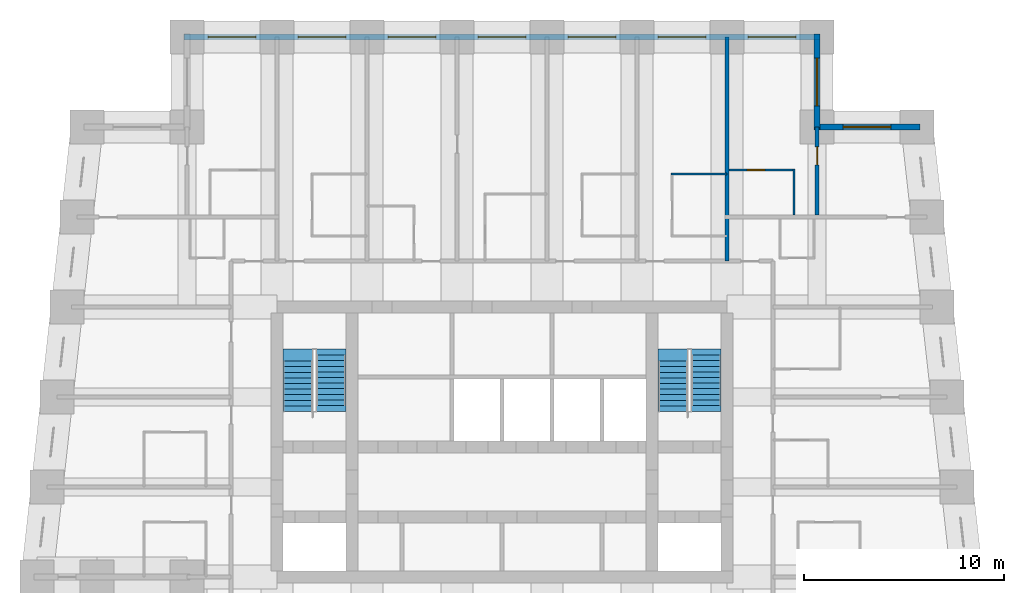
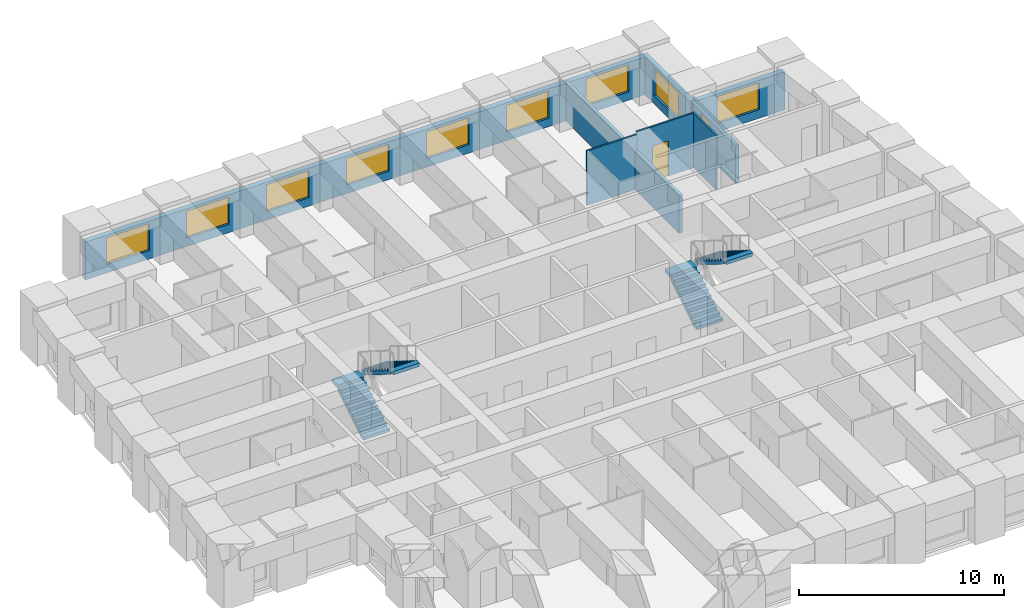
# One storey, part 7 of 8: 9 windows, 8 walls, 4 stair flights, 2 doors, 11 openings, 2 elements without a shape of their own.
"""IFC4 building model written with IfcOpenShell, lengths in metres."""

import ifcopenshell
import ifcopenshell.guid

model = None  # the IFC model being written
_history = None  # IfcOwnerHistory: only IFC2X3 demands one
_inside = {}  # id of a spatial element -> (the spatial element, [elements in it])
_under = {}  # id of a project, library or spatial element -> (it, [spatial elements below it])
_declared = {}  # id of a project -> (the project, [libraries it declares])
_typed = {}  # id of a type object -> (the type object, [elements of that type])
_made_of = {}  # id of a material, layer set ... -> (it, [elements and type objects made of it])


def new_model(schema):
    """Start an empty IFC model of exactly this schema.

    Asked for "IFC4X3", IfcOpenShell would pick the latest addendum, in which some entities
    have other attributes; the version numbers below select the first issue.
    IFC2X3 requires an IfcOwnerHistory on every rooted entity: one is made here for all.
    """
    global model, _history
    if schema == "IFC4X3":
        model = ifcopenshell.file(schema_version=(4, 3, 0, 0))
    else:
        model = ifcopenshell.file(schema=schema)
    _inside.clear()
    _under.clear()
    _declared.clear()
    _typed.clear()
    _made_of.clear()
    _history = None
    if model.schema == "IFC2X3":
        org = make("IfcOrganization", Name="unknown")
        user = make(
            "IfcPersonAndOrganization",
            ThePerson=make("IfcPerson", FamilyName="unknown"),
            TheOrganization=org,
        )
        app = make(
            "IfcApplication",
            ApplicationDeveloper=org,
            Version="unknown",
            ApplicationFullName="unknown",
            ApplicationIdentifier="unknown",
        )
        _history = make(
            "IfcOwnerHistory",
            OwningUser=user,
            OwningApplication=app,
            ChangeAction="ADDED",
            CreationDate=0,
        )
    return model


def make(cls, **values):
    """One entity of the class cls with the attributes given. An attribute that is None is left unset."""
    return model.create_entity(
        cls, **{name: value for name, value in values.items() if value is not None}
    )


def rooted(cls, **values):
    """An entity with a GlobalId (a new one), such as an element, a storey or a relation."""
    return make(cls, GlobalId=ifcopenshell.guid.new(), OwnerHistory=_history, **values)


def si_unit(unit_type, name, prefix=None):
    """IfcSIUnit, for example si_unit("LENGTHUNIT", "METRE", prefix="MILLI")."""
    return make("IfcSIUnit", UnitType=unit_type, Prefix=prefix, Name=name)


def assignment(units):
    """IfcUnitAssignment: the units of a project."""
    return None if units is None else make("IfcUnitAssignment", Units=units)


def point(xyz):
    """IfcCartesianPoint."""
    return None if xyz is None else make("IfcCartesianPoint", Coordinates=xyz)


def direction(xyz):
    """IfcDirection."""
    return None if xyz is None else make("IfcDirection", DirectionRatios=xyz)


def frame(location, z_axis=None, x_axis=None):
    """IfcAxis2Placement3D, a coordinate frame: its origin and axes. An axis left out is left unset."""
    return make(
        "IfcAxis2Placement3D",
        Location=point(location),
        Axis=direction(z_axis),
        RefDirection=direction(x_axis),
    )


def frame_2d(location, x_axis=None):
    """IfcAxis2Placement2D, a coordinate frame in the plane: its origin and x axis."""
    return make(
        "IfcAxis2Placement2D", Location=point(location), RefDirection=direction(x_axis)
    )


def origin():
    """The frame at (0, 0, 0) with its axes left unset."""
    return frame((0.0, 0.0, 0.0))


def place(relative_to, where):
    """IfcLocalPlacement: puts the frame where relative to a parent placement (None: the world)."""
    return make(
        "IfcLocalPlacement", PlacementRelTo=relative_to, RelativePlacement=where
    )


def context(
    kind, dimensions, precision=None, world=None, true_north=None, identifier=None
):
    """IfcGeometricRepresentationContext, for example the 3D "Model" context."""
    return make(
        "IfcGeometricRepresentationContext",
        ContextIdentifier=identifier,
        ContextType=kind,
        CoordinateSpaceDimension=dimensions,
        Precision=precision,
        WorldCoordinateSystem=world,
        TrueNorth=true_north,
    )


def subcontext(parent, identifier, kind, view, scale=None):
    """IfcGeometricRepresentationSubContext, for example "Body" below "Model"."""
    return make(
        "IfcGeometricRepresentationSubContext",
        ContextIdentifier=identifier,
        ContextType=kind,
        ParentContext=parent,
        TargetScale=scale,
        TargetView=view,
    )


def project(units=None, contexts=None):
    """IfcProject with its units and contexts."""
    return rooted(
        "IfcProject",
        Name="project",
        RepresentationContexts=contexts,
        UnitsInContext=assignment(units),
    )


def spatial(cls, under=None, at=None, **own):
    """A site, building, storey or space (cls), placed at a placement, below another one or the project."""
    s = rooted(cls, ObjectPlacement=at, **own)
    if under is not None:
        _under.setdefault(under.id(), (under, []))[1].append(s)
    return s


def polyline(points):
    """IfcPolyline through the points."""
    return make("IfcPolyline", Points=[point(p) for p in points])


def profile(cls, at=None, kind="AREA", **sizes):
    """A parametric profile (cls). Its sizes go by their IFC names, for example OverallWidth=200.0."""
    return make(cls, ProfileType=kind, Position=at, **sizes)


def rectangle(**sizes):
    """IfcRectangleProfileDef."""
    return profile("IfcRectangleProfileDef", **sizes)


def outline(outer, holes=None, kind="AREA"):
    """IfcArbitraryClosedProfileDef: a profile drawn as a closed curve; with holes, ...WithVoids."""
    if holes is None:
        return make("IfcArbitraryClosedProfileDef", ProfileType=kind, OuterCurve=outer)
    return make(
        "IfcArbitraryProfileDefWithVoids",
        ProfileType=kind,
        OuterCurve=outer,
        InnerCurves=holes,
    )


def extrude(swept, where, along, depth):
    """IfcExtrudedAreaSolid: the profile swept, set in the frame where, extruded along a direction by depth."""
    return make(
        "IfcExtrudedAreaSolid",
        SweptArea=swept,
        Position=where,
        ExtrudedDirection=direction(along),
        Depth=depth,
    )


def shape(context_of_items, identifier, shape_type, items):
    """IfcShapeRepresentation: the items that make up one representation, for example the "Body"."""
    return make(
        "IfcShapeRepresentation",
        ContextOfItems=context_of_items,
        RepresentationIdentifier=identifier,
        RepresentationType=shape_type,
        Items=items,
    )


def material(Name=None, Category=None):
    """IfcMaterial."""
    return make("IfcMaterial", Name=Name, Category=Category)


def layer(
    of_material, thickness, ventilated=None, Name=None, Category=None, Priority=None
):
    """IfcMaterialLayer: one layer of a wall or slab, of a material (None: an air gap)."""
    return make(
        "IfcMaterialLayer",
        Material=of_material,
        LayerThickness=thickness,
        IsVentilated=ventilated,
        Name=Name,
        Category=Category,
        Priority=Priority,
    )


def layer_set(layers, Name=None):
    """IfcMaterialLayerSet."""
    return make("IfcMaterialLayerSet", MaterialLayers=layers, LayerSetName=Name)


def made_of(thing, what):
    """Note that an element or type object is made of a material, layer set ...; save() writes the relation."""
    if what is not None:
        _made_of.setdefault(what.id(), (what, []))[1].append(thing)
    return thing


def type_object(cls, material=None, **own):
    """A type object (cls), such as IfcWallType, which elements share."""
    return made_of(rooted(cls, **own), material)


def element(
    cls,
    number,
    at=None,
    inside=None,
    cuts=None,
    type_object=None,
    material=None,
    context=None,
    identifier="Body",
    shape_type=None,
    held_by="IfcProductDefinitionShape",
    body=None,
    shapes=None,
    **own,
):
    """One element of the class cls, such as IfcWall. Its Tag is "e" and its number.

    at: its placement. inside: the storey or other place that contains it. cuts: it is an
    opening in that element (IfcRelVoidsElement). A single representation is given by context,
    identifier, shape_type and body (its items); several are given by shapes. held_by: the class
    of the entity that holds the representations. save() writes the other relations.
    """
    e = rooted(cls, Tag="e%d" % number, ObjectPlacement=at, **own)
    if body is not None:
        shapes = [shape(context, identifier, shape_type, body)]
    if shapes is not None:
        e.Representation = make(held_by, Representations=shapes)
    if inside is not None:
        _inside.setdefault(inside.id(), (inside, []))[1].append(e)
    if cuts is not None:
        rooted(
            "IfcRelVoidsElement", RelatingBuildingElement=cuts, RelatedOpeningElement=e
        )
    if type_object is not None:
        _typed.setdefault(type_object.id(), (type_object, []))[1].append(e)
    return made_of(e, material)


def fill(opening, filler):
    """IfcRelFillsElement: the door or window that sits in an opening."""
    return rooted(
        "IfcRelFillsElement",
        RelatingOpeningElement=opening,
        RelatedBuildingElement=filler,
    )


def aggregate(whole, parts):
    """IfcRelAggregates: a whole, such as a stair, and the parts it consists of."""
    return rooted("IfcRelAggregates", RelatingObject=whole, RelatedObjects=parts)


def save(model, path):
    """Write the relations noted so far, then the file.

    IfcRelAggregates (storeys below a building ...), IfcRelContainedInSpatialStructure (elements
    in a storey), IfcRelDefinesByType, IfcRelAssociatesMaterial and IfcRelDeclares: one each for
    every whole, place, type object, material and project.
    """
    for whole, parts in _under.values():
        aggregate(whole, parts)
    for where, things in _inside.values():
        rooted(
            "IfcRelContainedInSpatialStructure",
            RelatedElements=things,
            RelatingStructure=where,
        )
    for kind, things in _typed.values():
        rooted("IfcRelDefinesByType", RelatedObjects=things, RelatingType=kind)
    for what, things in _made_of.values():
        rooted("IfcRelAssociatesMaterial", RelatedObjects=things, RelatingMaterial=what)
    for by, libraries in _declared.values():
        rooted("IfcRelDeclares", RelatingContext=by, RelatedDefinitions=libraries)
    model.write(path)


model = new_model("IFC4")

# Units and contexts
model_context = context("Model", 3, precision=1e-05, world=origin(), true_north=direction((0.0, 1.0)))
body_context = subcontext(model_context, "Body", "Model", "MODEL_VIEW")
ifc_project = project(units=[si_unit("LENGTHUNIT", "METRE"), si_unit("AREAUNIT", "SQUARE_METRE"), si_unit("VOLUMEUNIT", "CUBIC_METRE"), si_unit("PLANEANGLEUNIT", "RADIAN"), si_unit("MASSUNIT", "GRAM", prefix="KILO")], contexts=[model_context])

# Site, building, storey
site_placement = place(None, origin())
site = spatial("IfcSite", under=ifc_project, at=site_placement, CompositionType="ELEMENT")
building_placement = place(site_placement, origin())
building = spatial("IfcBuilding", under=site, at=building_placement, Name="Kilele Tower Hotel", CompositionType="ELEMENT")
storey_placement = place(building_placement, frame((0.0, 0.0, 165.89990234375)))
storey = spatial("IfcBuildingStorey", under=building, at=storey_placement, Name="L42", CompositionType="ELEMENT", Elevation=165.89990234375)

# Walls
ifc_material_1 = material(Name="Moisture-resistant board")
ifc_layer_1 = layer(ifc_material_1, 0.10009765625)
ifc_layer_set_1 = layer_set([ifc_layer_1], Name="Moisture-resistant board")
wall_type_1 = type_object("IfcWallType", Name="Bathroom partition 100", PredefinedType="PLUMBINGWALL", material=ifc_layer_set_1)
wall_1_placement = place(storey_placement, frame((33.199951171875, 33.64990234375, 0.0), z_axis=(0.0, 0.0, 1.0), x_axis=(1.0, 0.0, 0.0)))
element("IfcWall", 1, at=wall_1_placement, inside=storey, type_object=wall_type_1, Name="Bathroom partition 100 L42", PredefinedType="PLUMBINGWALL", context=body_context, shape_type="SweptSolid", body=[
    extrude(rectangle(XDim=2.800048828125, YDim=0.10009765625, at=frame_2d((1.39990234375, 0.0))), origin(), (0.0, 0.0, 1.0), 3.25),
])
wall_2_placement = place(storey_placement, frame((39.35009765625, 31.60009765625, 0.0), z_axis=(0.0, 0.0, 1.0), x_axis=(0.0, 1.0, 0.0)))
element("IfcWall", 2, at=wall_2_placement, inside=storey, type_object=wall_type_1, Name="Bathroom partition 100 L42", PredefinedType="PLUMBINGWALL", context=body_context, shape_type="SweptSolid", body=[
    extrude(rectangle(XDim=2.2998046875, YDim=0.10009765625, at=frame_2d((1.14990234375, 0.0))), origin(), (0.0, 0.0, 1.0), 3.25),
])

# Wall, opening, door
wall_3_placement = place(storey_placement, frame((36.10009765625, 33.85009765625, 0.0), z_axis=(0.0, 0.0, 1.0), x_axis=(1.0, 0.0, 0.0)))
wall_3 = element("IfcWall", 3, at=wall_3_placement, inside=storey, type_object=wall_type_1, Name="Bathroom partition 100 L42", PredefinedType="PLUMBINGWALL", context=body_context, shape_type="SweptSolid", body=[
    extrude(rectangle(XDim=3.2998046875, YDim=0.10009765625, at=frame_2d((1.64990234375, 0.0))), origin(), (0.0, 0.0, 1.0), 3.25),
])
opening_1_placement = place(wall_3_placement, frame((0.89990234375, 0.0, 0.0)))
opening_1 = element("IfcOpeningElement", 4, at=opening_1_placement, cuts=wall_3, Name="Opening D2A", PredefinedType="OPENING", context=body_context, shape_type="SweptSolid", body=[
    extrude(rectangle(XDim=0.89990234375, YDim=2.10009765625, at=frame_2d((0.449951171875, 1.050048828125))), frame((0.0, 0.06005859375, 0.0), z_axis=(0.0, -1.0, 0.0), x_axis=(1.0, 0.0, 0.0)), (0.0, 0.0, 1.0), 0.1201171875),
])
ifc_material_2 = material(Name="Timber door leaf in hardwood frame", Category="wood")
door_type_1 = type_object("IfcDoorType", Name="Bathroom door 900", OperationType="SINGLE_SWING_LEFT", PredefinedType="DOOR", material=ifc_material_2)
door_1_placement = place(opening_1_placement, origin())
door_1 = element("IfcDoor", 5, at=door_1_placement, inside=storey, type_object=door_type_1, Name="Bathroom door 4223B", OperationType="SINGLE_SWING_LEFT", OverallHeight=2.10009765625, OverallWidth=0.89990234375, PredefinedType="DOOR", context=body_context, shape_type="SweptSolid", body=[
    extrude(rectangle(XDim=0.89990234375, YDim=2.10009765625, at=frame_2d((0.449951171875, 1.050048828125))), frame((0.0, 0.02490234375, 0.0), z_axis=(0.0, -1.0, 0.0), x_axis=(1.0, 0.0, 0.0)), (0.0, 0.0, 1.0), 0.050048828125),
])
fill(opening_1, door_1)

ifc_material_3 = material(Name="Blockwork, plastered both sides", Category="masonry")
ifc_layer_2 = layer(ifc_material_3, 0.199951171875)
ifc_layer_set_2 = layer_set([ifc_layer_2], Name="Blockwork, plastered both sides")
wall_type_2 = type_object("IfcWallType", Name="Partition wall 200", PredefinedType="PARTITIONING", material=ifc_layer_set_2)
wall_4_placement = place(storey_placement, frame((40.5, 31.60009765625, 0.0), z_axis=(0.0, 0.0, 1.0), x_axis=(0.0, 1.0, 0.0)))
wall_4 = element("IfcWall", 6, at=wall_4_placement, inside=storey, type_object=wall_type_2, Name="Partition wall 200 L42", PredefinedType="PARTITIONING", context=body_context, shape_type="SweptSolid", body=[
    extrude(rectangle(XDim=4.39990234375, YDim=0.199951171875, at=frame_2d((2.199951171875, 0.0))), origin(), (0.0, 0.0, 1.0), 2.25),
])
opening_2_placement = place(wall_4_placement, frame((2.5, 0.0, 0.0)))
opening_2 = element("IfcOpeningElement", 7, at=opening_2_placement, cuts=wall_4, Name="Opening D3", PredefinedType="OPENING", context=body_context, shape_type="SweptSolid", body=[
    extrude(rectangle(XDim=0.89990234375, YDim=2.10009765625, at=frame_2d((0.449951171875, 1.050048828125))), frame((0.0, 0.10986328125, 0.0), z_axis=(0.0, -1.0, 0.0), x_axis=(1.0, 0.0, 0.0)), (0.0, 0.0, 1.0), 0.219970703125),
])
ifc_material_4 = material(Name="Timber door leaf in hardwood frame", Category="wood")
door_type_2 = type_object("IfcDoorType", Name="Suite internal door 900", OperationType="SINGLE_SWING_LEFT", PredefinedType="DOOR", material=ifc_material_4)
door_2_placement = place(opening_2_placement, origin())
door_2 = element("IfcDoor", 8, at=door_2_placement, inside=storey, type_object=door_type_2, Name="Suite door 4224", OperationType="SINGLE_SWING_RIGHT", OverallHeight=2.10009765625, OverallWidth=0.89990234375, PredefinedType="DOOR", context=body_context, shape_type="SweptSolid", body=[
    extrude(rectangle(XDim=0.89990234375, YDim=2.10009765625, at=frame_2d((0.449951171875, 1.050048828125))), frame((0.0, 0.02490234375, 0.0), z_axis=(0.0, -1.0, 0.0), x_axis=(1.0, 0.0, 0.0)), (0.0, 0.0, 1.0), 0.050048828125),
])
fill(opening_2, door_2)

# Wall
ifc_material_5 = material(Name="Blockwork, plastered both sides", Category="masonry")
ifc_layer_3 = layer(ifc_material_5, 0.199951171875)
ifc_layer_set_3 = layer_set([ifc_layer_3], Name="Blockwork, plastered both sides")
wall_type_3 = type_object("IfcWallType", Name="Party wall 200", PredefinedType="PARTITIONING", material=ifc_layer_set_3)
wall_5_placement = place(storey_placement, frame((36.0, 29.300048828125, 0.0), z_axis=(0.0, 0.0, 1.0), x_axis=(0.0, 1.0, 0.0)))
element("IfcWall", 9, at=wall_5_placement, inside=storey, type_object=wall_type_3, Name="Party wall 200 L42", PredefinedType="PARTITIONING", context=body_context, shape_type="SweptSolid", body=[
    extrude(rectangle(XDim=11.199951171875, YDim=0.199951171875, at=frame_2d((5.60009765625, 0.0))), origin(), (0.0, 0.0, 1.0), 2.25),
])

# Wall, opening, window
ifc_material_6 = material(Name="Concrete C40/50 precast", Category="concrete")
ifc_layer_4 = layer(ifc_material_6, 0.260009765625, Name="Precast backing", Category="LoadBearing")
ifc_material_7 = material(Name="Reconstituted stone finish", Category="masonry")
ifc_layer_5 = layer(ifc_material_7, 0.0400390625, Name="Face mix", Category="Finish")
ifc_layer_set_4 = layer_set([ifc_layer_4, ifc_layer_5], Name="Precast concrete C40/50, reconstituted stone finish")
wall_type_4 = type_object("IfcWallType", Name="Precast stone facade wall 300", PredefinedType="STANDARD", material=ifc_layer_set_4)
wall_6_placement = place(storey_placement, frame((45.64990234375, 36.0, 0.0), z_axis=(0.0, 0.0, 1.0), x_axis=(-1.0, 0.0, 0.0)))
wall_6 = element("IfcWall", 10, at=wall_6_placement, inside=storey, type_object=wall_type_4, Name="Facade wall L42 edge 7", PredefinedType="STANDARD", context=body_context, shape_type="SweptSolid", body=[
    extrude(rectangle(XDim=5.2998046875, YDim=0.300048828125, at=frame_2d((2.64990234375, 0.0))), origin(), (0.0, 0.0, 1.0), 2.25),
])
opening_3_placement = place(wall_6_placement, frame((1.449951171875, 0.0, 0.5)))
opening_3 = element("IfcOpeningElement", 11, at=opening_3_placement, cuts=wall_6, Name="Opening W3", PredefinedType="OPENING", context=body_context, shape_type="SweptSolid", body=[
    extrude(rectangle(XDim=2.39990234375, YDim=1.60009765625, at=frame_2d((1.199951171875, 0.800048828125))), frame((0.0, 0.159912109375, 0.0), z_axis=(0.0, -1.0, 0.0), x_axis=(1.0, 0.0, 0.0)), (0.0, 0.0, 1.0), 0.320068359375),
])
ifc_material_8 = material(Name="Aluminium frame, clear double glazing", Category="aluminium")
window_type = type_object("IfcWindowType", Name="Window W3 2400 x 1600", PartitioningType="SINGLE_PANEL", PredefinedType="WINDOW", material=ifc_material_8)
window_1_placement = place(opening_3_placement, origin())
window_1 = element("IfcWindow", 12, at=window_1_placement, inside=storey, type_object=window_type, Name="Window L42", OverallHeight=1.60009765625, OverallWidth=2.39990234375, PartitioningType="SINGLE_PANEL", PredefinedType="WINDOW", context=body_context, shape_type="SweptSolid", body=[
    extrude(rectangle(XDim=2.39990234375, YDim=1.60009765625, at=frame_2d((1.199951171875, 0.800048828125))), frame((0.0, 0.030029296875, 0.0), z_axis=(0.0, -1.0, 0.0), x_axis=(1.0, 0.0, 0.0)), (0.0, 0.0, 1.0), 0.06005859375),
])
fill(opening_3, window_1)

wall_7_placement = place(storey_placement, frame((40.5, 35.85009765625, 0.0), z_axis=(0.0, 0.0, 1.0), x_axis=(0.0, 1.0, 0.0)))
wall_7 = element("IfcWall", 13, at=wall_7_placement, inside=storey, type_object=wall_type_4, Name="Facade wall L42 edge 8", PredefinedType="STANDARD", context=body_context, shape_type="SweptSolid", body=[
    extrude(rectangle(XDim=4.7998046875, YDim=0.300048828125, at=frame_2d((2.39990234375, 0.0))), origin(), (0.0, 0.0, 1.0), 2.25),
])
opening_4_placement = place(wall_7_placement, frame((1.199951171875, 0.0, 0.5)))
opening_4 = element("IfcOpeningElement", 14, at=opening_4_placement, cuts=wall_7, Name="Opening W3", PredefinedType="OPENING", context=body_context, shape_type="SweptSolid", body=[
    extrude(rectangle(XDim=2.39990234375, YDim=1.60009765625, at=frame_2d((1.199951171875, 0.800048828125))), frame((0.0, 0.159912109375, 0.0), z_axis=(0.0, -1.0, 0.0), x_axis=(1.0, 0.0, 0.0)), (0.0, 0.0, 1.0), 0.320068359375),
])
window_2_placement = place(opening_4_placement, origin())
window_2 = element("IfcWindow", 15, at=window_2_placement, inside=storey, type_object=window_type, Name="Window L42", OverallHeight=1.60009765625, OverallWidth=2.39990234375, PartitioningType="SINGLE_PANEL", PredefinedType="WINDOW", context=body_context, shape_type="SweptSolid", body=[
    extrude(rectangle(XDim=2.39990234375, YDim=1.60009765625, at=frame_2d((1.199951171875, 0.800048828125))), frame((0.0, 0.030029296875, 0.0), z_axis=(0.0, -1.0, 0.0), x_axis=(1.0, 0.0, 0.0)), (0.0, 0.0, 1.0), 0.06005859375),
])
fill(opening_4, window_2)

# Wall, openings, windows
wall_8_placement = place(storey_placement, frame((40.64990234375, 40.5, 0.0), z_axis=(0.0, 0.0, 1.0), x_axis=(-1.0, 0.0, 0.0)))
wall_8 = element("IfcWall", 16, at=wall_8_placement, inside=storey, type_object=wall_type_4, Name="Facade wall L42 edge 9", PredefinedType="STANDARD", context=body_context, shape_type="SweptSolid", body=[
    extrude(rectangle(XDim=31.7998046875, YDim=0.300048828125, at=frame_2d((15.89990234375, 0.0))), origin(), (0.0, 0.0, 1.0), 2.25),
])
opening_5_placement = place(wall_8_placement, frame((1.199951171875, 0.0, 0.5)))
opening_5 = element("IfcOpeningElement", 17, at=opening_5_placement, cuts=wall_8, Name="Opening W3", PredefinedType="OPENING", context=body_context, shape_type="SweptSolid", body=[
    extrude(rectangle(XDim=2.39990234375, YDim=1.60009765625, at=frame_2d((1.199951171875, 0.800048828125))), frame((0.0, 0.159912109375, 0.0), z_axis=(0.0, -1.0, 0.0), x_axis=(1.0, 0.0, 0.0)), (0.0, 0.0, 1.0), 0.320068359375),
])
opening_6_placement = place(wall_8_placement, frame((5.699951171875, 0.0, 0.5)))
opening_6 = element("IfcOpeningElement", 18, at=opening_6_placement, cuts=wall_8, Name="Opening W3", PredefinedType="OPENING", context=body_context, shape_type="SweptSolid", body=[
    extrude(rectangle(XDim=2.39990234375, YDim=1.60009765625, at=frame_2d((1.199951171875, 0.800048828125))), frame((0.0, 0.159912109375, 0.0), z_axis=(0.0, -1.0, 0.0), x_axis=(1.0, 0.0, 0.0)), (0.0, 0.0, 1.0), 0.320068359375),
])
opening_7_placement = place(wall_8_placement, frame((10.199951171875, 0.0, 0.5)))
opening_7 = element("IfcOpeningElement", 19, at=opening_7_placement, cuts=wall_8, Name="Opening W3", PredefinedType="OPENING", context=body_context, shape_type="SweptSolid", body=[
    extrude(rectangle(XDim=2.39990234375, YDim=1.60009765625, at=frame_2d((1.199951171875, 0.800048828125))), frame((0.0, 0.159912109375, 0.0), z_axis=(0.0, -1.0, 0.0), x_axis=(1.0, 0.0, 0.0)), (0.0, 0.0, 1.0), 0.320068359375),
])
opening_8_placement = place(wall_8_placement, frame((14.699951171875, 0.0, 0.5)))
opening_8 = element("IfcOpeningElement", 20, at=opening_8_placement, cuts=wall_8, Name="Opening W3", PredefinedType="OPENING", context=body_context, shape_type="SweptSolid", body=[
    extrude(rectangle(XDim=2.39990234375, YDim=1.60009765625, at=frame_2d((1.199951171875, 0.800048828125))), frame((0.0, 0.159912109375, 0.0), z_axis=(0.0, -1.0, 0.0), x_axis=(1.0, 0.0, 0.0)), (0.0, 0.0, 1.0), 0.320068359375),
])
opening_9_placement = place(wall_8_placement, frame((19.199951171875, 0.0, 0.5)))
opening_9 = element("IfcOpeningElement", 21, at=opening_9_placement, cuts=wall_8, Name="Opening W3", PredefinedType="OPENING", context=body_context, shape_type="SweptSolid", body=[
    extrude(rectangle(XDim=2.39990234375, YDim=1.60009765625, at=frame_2d((1.199951171875, 0.800048828125))), frame((0.0, 0.159912109375, 0.0), z_axis=(0.0, -1.0, 0.0), x_axis=(1.0, 0.0, 0.0)), (0.0, 0.0, 1.0), 0.320068359375),
])
opening_10_placement = place(wall_8_placement, frame((23.699951171875, 0.0, 0.5)))
opening_10 = element("IfcOpeningElement", 22, at=opening_10_placement, cuts=wall_8, Name="Opening W3", PredefinedType="OPENING", context=body_context, shape_type="SweptSolid", body=[
    extrude(rectangle(XDim=2.39990234375, YDim=1.60009765625, at=frame_2d((1.199951171875, 0.800048828125))), frame((0.0, 0.159912109375, 0.0), z_axis=(0.0, -1.0, 0.0), x_axis=(1.0, 0.0, 0.0)), (0.0, 0.0, 1.0), 0.320068359375),
])
opening_11_placement = place(wall_8_placement, frame((28.199951171875, 0.0, 0.5)))
opening_11 = element("IfcOpeningElement", 23, at=opening_11_placement, cuts=wall_8, Name="Opening W3", PredefinedType="OPENING", context=body_context, shape_type="SweptSolid", body=[
    extrude(rectangle(XDim=2.39990234375, YDim=1.60009765625, at=frame_2d((1.199951171875, 0.800048828125))), frame((0.0, 0.159912109375, 0.0), z_axis=(0.0, -1.0, 0.0), x_axis=(1.0, 0.0, 0.0)), (0.0, 0.0, 1.0), 0.320068359375),
])
window_3_placement = place(opening_5_placement, origin())
window_3 = element("IfcWindow", 24, at=window_3_placement, inside=storey, type_object=window_type, Name="Window L42", OverallHeight=1.60009765625, OverallWidth=2.39990234375, PartitioningType="SINGLE_PANEL", PredefinedType="WINDOW", context=body_context, shape_type="SweptSolid", body=[
    extrude(rectangle(XDim=2.39990234375, YDim=1.60009765625, at=frame_2d((1.199951171875, 0.800048828125))), frame((0.0, 0.030029296875, 0.0), z_axis=(0.0, -1.0, 0.0), x_axis=(1.0, 0.0, 0.0)), (0.0, 0.0, 1.0), 0.06005859375),
])
fill(opening_5, window_3)
window_4_placement = place(opening_6_placement, origin())
window_4 = element("IfcWindow", 25, at=window_4_placement, inside=storey, type_object=window_type, Name="Window L42", OverallHeight=1.60009765625, OverallWidth=2.39990234375, PartitioningType="SINGLE_PANEL", PredefinedType="WINDOW", context=body_context, shape_type="SweptSolid", body=[
    extrude(rectangle(XDim=2.39990234375, YDim=1.60009765625, at=frame_2d((1.199951171875, 0.800048828125))), frame((0.0, 0.030029296875, 0.0), z_axis=(0.0, -1.0, 0.0), x_axis=(1.0, 0.0, 0.0)), (0.0, 0.0, 1.0), 0.06005859375),
])
fill(opening_6, window_4)
window_5_placement = place(opening_7_placement, origin())
window_5 = element("IfcWindow", 26, at=window_5_placement, inside=storey, type_object=window_type, Name="Window L42", OverallHeight=1.60009765625, OverallWidth=2.39990234375, PartitioningType="SINGLE_PANEL", PredefinedType="WINDOW", context=body_context, shape_type="SweptSolid", body=[
    extrude(rectangle(XDim=2.39990234375, YDim=1.60009765625, at=frame_2d((1.199951171875, 0.800048828125))), frame((0.0, 0.030029296875, 0.0), z_axis=(0.0, -1.0, 0.0), x_axis=(1.0, 0.0, 0.0)), (0.0, 0.0, 1.0), 0.06005859375),
])
fill(opening_7, window_5)
window_6_placement = place(opening_8_placement, origin())
window_6 = element("IfcWindow", 27, at=window_6_placement, inside=storey, type_object=window_type, Name="Window L42", OverallHeight=1.60009765625, OverallWidth=2.39990234375, PartitioningType="SINGLE_PANEL", PredefinedType="WINDOW", context=body_context, shape_type="SweptSolid", body=[
    extrude(rectangle(XDim=2.39990234375, YDim=1.60009765625, at=frame_2d((1.199951171875, 0.800048828125))), frame((0.0, 0.030029296875, 0.0), z_axis=(0.0, -1.0, 0.0), x_axis=(1.0, 0.0, 0.0)), (0.0, 0.0, 1.0), 0.06005859375),
])
fill(opening_8, window_6)
window_7_placement = place(opening_9_placement, origin())
window_7 = element("IfcWindow", 28, at=window_7_placement, inside=storey, type_object=window_type, Name="Window L42", OverallHeight=1.60009765625, OverallWidth=2.39990234375, PartitioningType="SINGLE_PANEL", PredefinedType="WINDOW", context=body_context, shape_type="SweptSolid", body=[
    extrude(rectangle(XDim=2.39990234375, YDim=1.60009765625, at=frame_2d((1.199951171875, 0.800048828125))), frame((0.0, 0.030029296875, 0.0), z_axis=(0.0, -1.0, 0.0), x_axis=(1.0, 0.0, 0.0)), (0.0, 0.0, 1.0), 0.06005859375),
])
fill(opening_9, window_7)
window_8_placement = place(opening_10_placement, origin())
window_8 = element("IfcWindow", 29, at=window_8_placement, inside=storey, type_object=window_type, Name="Window L42", OverallHeight=1.60009765625, OverallWidth=2.39990234375, PartitioningType="SINGLE_PANEL", PredefinedType="WINDOW", context=body_context, shape_type="SweptSolid", body=[
    extrude(rectangle(XDim=2.39990234375, YDim=1.60009765625, at=frame_2d((1.199951171875, 0.800048828125))), frame((0.0, 0.030029296875, 0.0), z_axis=(0.0, -1.0, 0.0), x_axis=(1.0, 0.0, 0.0)), (0.0, 0.0, 1.0), 0.06005859375),
])
fill(opening_10, window_8)
window_9_placement = place(opening_11_placement, origin())
window_9 = element("IfcWindow", 30, at=window_9_placement, inside=storey, type_object=window_type, Name="Window L42", OverallHeight=1.60009765625, OverallWidth=2.39990234375, PartitioningType="SINGLE_PANEL", PredefinedType="WINDOW", context=body_context, shape_type="SweptSolid", body=[
    extrude(rectangle(XDim=2.39990234375, YDim=1.60009765625, at=frame_2d((1.199951171875, 0.800048828125))), frame((0.0, 0.030029296875, 0.0), z_axis=(0.0, -1.0, 0.0), x_axis=(1.0, 0.0, 0.0)), (0.0, 0.0, 1.0), 0.06005859375),
])
fill(opening_11, window_9)

# Stair, stair flights
ifc_material_9 = material(Name="Precast concrete C40/50", Category="concrete")
stair_type = type_object("IfcStairType", Name="Stair 1475 x 3500", PredefinedType="HALF_TURN_STAIR", material=ifc_material_9)
stair_1_placement = place(storey_placement, origin())
stair_1 = element("IfcStair", 31, at=stair_1_placement, inside=storey, type_object=stair_type, Name="Stair 1 L42", PredefinedType="HALF_TURN_STAIR")
ifc_material_10 = material(Name="Precast concrete C40/50", Category="concrete")
stair_flight_type = type_object("IfcStairFlightType", Name="Flight 1475 riser 175.0", PredefinedType="STRAIGHT", material=ifc_material_10)
stair_flight_1_placement = place(storey_placement, frame((14.53759765625, 21.77490234375, 0.0), z_axis=(0.0, 0.0, 1.0), x_axis=(0.0, 1.0, 0.0)))
stair_flight_1 = element("IfcStairFlight", 32, at=stair_flight_1_placement, type_object=stair_flight_type, Name="ST1 flight 1", NumberOfRisers=10, NumberOfTreads=9, PredefinedType="STRAIGHT", RiserHeight=0.175, TreadLength=0.28, context=body_context, shape_type="SweptSolid", body=[
    extrude(outline(polyline([(0.0, 0.0), (0.0, 0.175048828125), (0.280029296875, 0.175048828125), (0.280029296875, 0.35009765625), (0.56005859375, 0.35009765625), (0.56005859375, 0.52490234375), (0.840087890625, 0.52490234375), (0.840087890625, 0.699951171875), (1.1201171875, 0.699951171875), (1.1201171875, 0.875), (1.39990234375, 0.875), (1.39990234375, 1.050048828125), (1.679931640625, 1.050048828125), (1.679931640625, 1.22509765625), (1.9599609375, 1.22509765625), (1.9599609375, 1.39990234375), (2.239990234375, 1.39990234375), (2.239990234375, 1.574951171875), (2.52001953125, 1.574951171875), (2.52001953125, 1.75), (2.52001953125, 1.398193359375), (0.28271484375, 0.0), (0.0, 0.0)])), frame((0.0, 0.737548828125, 0.0), z_axis=(0.0, -1.0, 0.0), x_axis=(1.0, 0.0, 0.0)), (0.0, 0.0, 1.0), 1.47509765625),
    extrude(outline(polyline([(2.52001953125, 0.737548828125), (2.52001953125, -0.7373046875), (3.1201171875, -0.7373046875), (3.1201171875, 0.737548828125), (2.52001953125, 0.737548828125)])), frame((0.0, 0.0, 1.550048828125)), (0.0, 0.0, 1.0), 0.199951171875),
])
stair_flight_2_placement = place(storey_placement, frame((16.21240234375, 24.594970703125, 1.75), z_axis=(0.0, 0.0, 1.0), x_axis=(0.0, -1.0, 0.0)))
stair_flight_2 = element("IfcStairFlight", 33, at=stair_flight_2_placement, type_object=stair_flight_type, Name="ST1 flight 2", NumberOfRisers=10, NumberOfTreads=9, PredefinedType="STRAIGHT", RiserHeight=0.175, TreadLength=0.28, context=body_context, shape_type="SweptSolid", body=[
    extrude(outline(polyline([(0.0, 0.0), (0.0, 0.175048828125), (0.280029296875, 0.175048828125), (0.280029296875, 0.35009765625), (0.56005859375, 0.35009765625), (0.56005859375, 0.52490234375), (0.840087890625, 0.52490234375), (0.840087890625, 0.699951171875), (1.1201171875, 0.699951171875), (1.1201171875, 0.875), (1.39990234375, 0.875), (1.39990234375, 1.050048828125), (1.679931640625, 1.050048828125), (1.679931640625, 1.22509765625), (1.9599609375, 1.22509765625), (1.9599609375, 1.39990234375), (2.239990234375, 1.39990234375), (2.239990234375, 1.574951171875), (2.52001953125, 1.574951171875), (2.52001953125, 1.75), (2.52001953125, 1.398193359375), (0.28271484375, 0.0), (0.0, 0.0)])), frame((0.0, 0.737548828125, 0.0), z_axis=(0.0, -1.0, 0.0), x_axis=(1.0, 0.0, 0.0)), (0.0, 0.0, 1.0), 1.47509765625),
    extrude(outline(polyline([(0.0, -0.7373046875), (0.0, 0.737548828125), (-0.300048828125, 0.737548828125), (-0.300048828125, -0.7373046875), (0.0, -0.7373046875)])), frame((0.0, 0.0, -0.199951171875)), (0.0, 0.0, 1.0), 0.199951171875),
    extrude(outline(polyline([(2.820068359375, -0.7373046875), (2.820068359375, 0.737548828125), (2.52001953125, 0.737548828125), (2.52001953125, -0.7373046875), (2.820068359375, -0.7373046875)])), frame((0.0, 0.0, 1.550048828125)), (0.0, 0.0, 1.0), 0.199951171875),
])
aggregate(stair_1, [stair_flight_1, stair_flight_2])

stair_2_placement = place(storey_placement, origin())
stair_2 = element("IfcStair", 34, at=stair_2_placement, inside=storey, type_object=stair_type, Name="Stair 2 L42", PredefinedType="HALF_TURN_STAIR")
stair_flight_3_placement = place(storey_placement, frame((33.28759765625, 21.77490234375, 0.0), z_axis=(0.0, 0.0, 1.0), x_axis=(0.0, 1.0, 0.0)))
stair_flight_3 = element("IfcStairFlight", 35, at=stair_flight_3_placement, type_object=stair_flight_type, Name="ST2 flight 1", NumberOfRisers=10, NumberOfTreads=9, PredefinedType="STRAIGHT", RiserHeight=0.175, TreadLength=0.28, context=body_context, shape_type="SweptSolid", body=[
    extrude(outline(polyline([(0.0, 0.0), (0.0, 0.175048828125), (0.280029296875, 0.175048828125), (0.280029296875, 0.35009765625), (0.56005859375, 0.35009765625), (0.56005859375, 0.52490234375), (0.840087890625, 0.52490234375), (0.840087890625, 0.699951171875), (1.1201171875, 0.699951171875), (1.1201171875, 0.875), (1.39990234375, 0.875), (1.39990234375, 1.050048828125), (1.679931640625, 1.050048828125), (1.679931640625, 1.22509765625), (1.9599609375, 1.22509765625), (1.9599609375, 1.39990234375), (2.239990234375, 1.39990234375), (2.239990234375, 1.574951171875), (2.52001953125, 1.574951171875), (2.52001953125, 1.75), (2.52001953125, 1.398193359375), (0.28271484375, 0.0), (0.0, 0.0)])), frame((0.0, 0.737548828125, 0.0), z_axis=(0.0, -1.0, 0.0), x_axis=(1.0, 0.0, 0.0)), (0.0, 0.0, 1.0), 1.47509765625),
    extrude(outline(polyline([(2.52001953125, 0.737548828125), (2.52001953125, -0.7373046875), (3.1201171875, -0.7373046875), (3.1201171875, 0.737548828125), (2.52001953125, 0.737548828125)])), frame((0.0, 0.0, 1.550048828125)), (0.0, 0.0, 1.0), 0.199951171875),
])
stair_flight_4_placement = place(storey_placement, frame((34.96240234375, 24.594970703125, 1.75), z_axis=(0.0, 0.0, 1.0), x_axis=(0.0, -1.0, 0.0)))
stair_flight_4 = element("IfcStairFlight", 36, at=stair_flight_4_placement, type_object=stair_flight_type, Name="ST2 flight 2", NumberOfRisers=10, NumberOfTreads=9, PredefinedType="STRAIGHT", RiserHeight=0.175, TreadLength=0.28, context=body_context, shape_type="SweptSolid", body=[
    extrude(outline(polyline([(0.0, 0.0), (0.0, 0.175048828125), (0.280029296875, 0.175048828125), (0.280029296875, 0.35009765625), (0.56005859375, 0.35009765625), (0.56005859375, 0.52490234375), (0.840087890625, 0.52490234375), (0.840087890625, 0.699951171875), (1.1201171875, 0.699951171875), (1.1201171875, 0.875), (1.39990234375, 0.875), (1.39990234375, 1.050048828125), (1.679931640625, 1.050048828125), (1.679931640625, 1.22509765625), (1.9599609375, 1.22509765625), (1.9599609375, 1.39990234375), (2.239990234375, 1.39990234375), (2.239990234375, 1.574951171875), (2.52001953125, 1.574951171875), (2.52001953125, 1.75), (2.52001953125, 1.398193359375), (0.28271484375, 0.0), (0.0, 0.0)])), frame((0.0, 0.737548828125, 0.0), z_axis=(0.0, -1.0, 0.0), x_axis=(1.0, 0.0, 0.0)), (0.0, 0.0, 1.0), 1.47509765625),
    extrude(outline(polyline([(0.0, -0.7373046875), (0.0, 0.737548828125), (-0.300048828125, 0.737548828125), (-0.300048828125, -0.7373046875), (0.0, -0.7373046875)])), frame((0.0, 0.0, -0.199951171875)), (0.0, 0.0, 1.0), 0.199951171875),
    extrude(outline(polyline([(2.820068359375, -0.7373046875), (2.820068359375, 0.737548828125), (2.52001953125, 0.737548828125), (2.52001953125, -0.7373046875), (2.820068359375, -0.7373046875)])), frame((0.0, 0.0, 1.550048828125)), (0.0, 0.0, 1.0), 0.199951171875),
])
aggregate(stair_2, [stair_flight_3, stair_flight_4])

save(model, "model.ifc")
